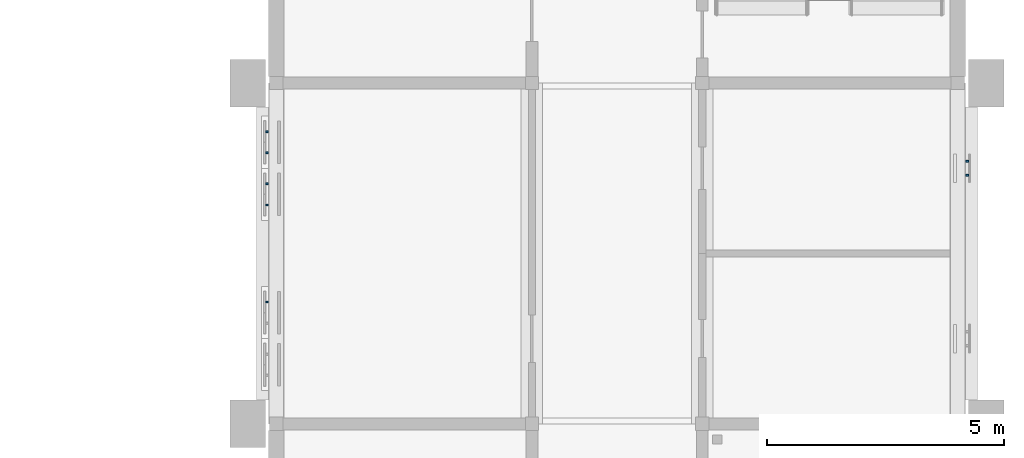
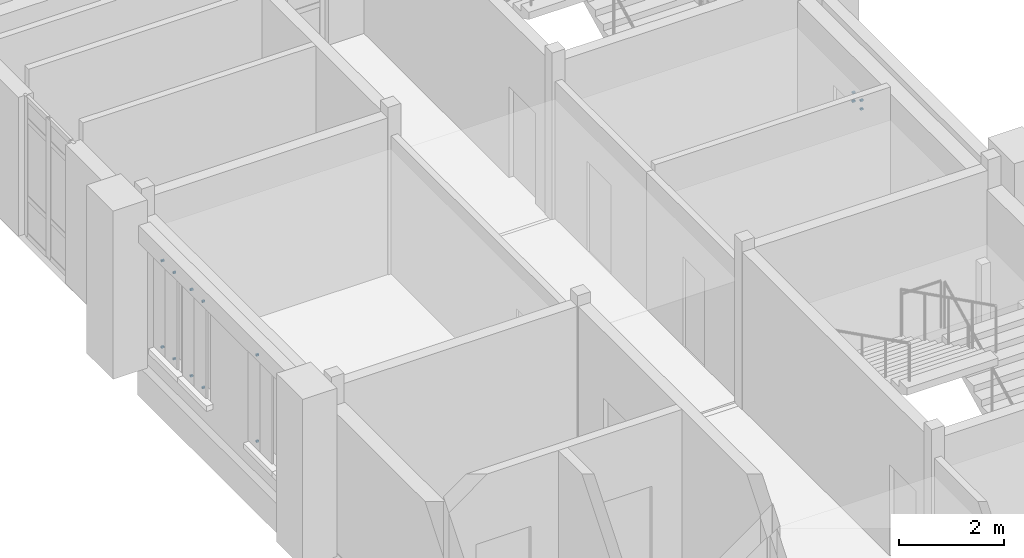
# One storey, part 54 of 69: 14 discrete accessories.
"""IFC4 building model written with IfcOpenShell, lengths in metres."""

from ifc_helpers import new_model, si_unit, direction, frame, origin, origin_2d, place, context, subcontext, project, spatial, rectangle, extrude, material, type_object, element, save


model = new_model("IFC4")

# Units and contexts
model_context = context("Model", 3, precision=1e-05, world=origin(), true_north=direction((0.0, 1.0)))
body_context = subcontext(model_context, "Body", "Model", "MODEL_VIEW")
ifc_project = project(units=[si_unit("LENGTHUNIT", "METRE"), si_unit("AREAUNIT", "SQUARE_METRE"), si_unit("VOLUMEUNIT", "CUBIC_METRE"), si_unit("PLANEANGLEUNIT", "RADIAN"), si_unit("MASSUNIT", "GRAM", prefix="KILO")], contexts=[model_context])

# Site, building, storey
site_placement = place(None, origin())
site = spatial("IfcSite", under=ifc_project, at=site_placement, CompositionType="ELEMENT")
building_placement = place(site_placement, origin())
building = spatial("IfcBuilding", under=site, at=building_placement, Name="Mazhai Court Health Centre", CompositionType="ELEMENT")
storey_placement = place(building_placement, frame((0.0, 0.0, 6.300048828125)))
storey = spatial("IfcBuildingStorey", under=building, at=storey_placement, Name="L01", CompositionType="ELEMENT", Elevation=6.300048828125)

# Discrete accessories
ifc_material = material(Name="Steel IS 2062 E250", Category="steel")
discrete_accessory_type = type_object("IfcDiscreteAccessoryType", Name="BRACKET 40", PredefinedType="BRACKET", material=ifc_material)
for number, where, z_axis, x_axis, name in (
    (1, (135.60498046875, 37.574951171875, 0.780029296875), (0.0, 0.0, 1.0), (0.0, 1.0, 0.0), "BR-V6-L01-A40bb0"),
    (2, (135.60498046875, 37.574951171875, 2.780029296875), (0.0, 0.0, 1.0), (0.0, 1.0, 0.0), "BR-V6-L01-A40bb1"),
    (3, (135.60498046875, 39.625, 0.780029296875), (0.0, 0.0, 1.0), (0.0, 1.0, 0.0), "BR-V6-L01-A41aa0"),
    (4, (135.60498046875, 39.625, 2.780029296875), (0.0, 0.0, 1.0), (0.0, 1.0, 0.0), "BR-V6-L01-A41aa1"),
    (5, (135.60498046875, 40.074951171875, 0.780029296875), (0.0, 0.0, 1.0), (0.0, 1.0, 0.0), "BR-V6-L01-A41ab0"),
    (6, (135.60498046875, 40.074951171875, 2.780029296875), (0.0, 0.0, 1.0), (0.0, 1.0, 0.0), "BR-V6-L01-A41ab1"),
    (7, (135.60498046875, 40.72509765625, 0.780029296875), (0.0, 0.0, 1.0), (0.0, 1.0, 0.0), "BR-V6-L01-A41ba0"),
    (8, (135.60498046875, 40.72509765625, 2.780029296875), (0.0, 0.0, 1.0), (0.0, 1.0, 0.0), "BR-V6-L01-A41ba1"),
    (9, (135.60498046875, 41.175048828125, 0.780029296875), (0.0, 0.0, 1.0), (0.0, 1.0, 0.0), "BR-V6-L01-A41bb0"),
    (10, (135.60498046875, 41.175048828125, 2.780029296875), (0.0, 0.0, 1.0), (0.0, 1.0, 0.0), "BR-V6-L01-A41bb1"),
    (11, (150.39501953125, 40.25, 1.679931640625), (0.0, 0.0, 1.0), (0.0, 1.0, 0.0), "BR-V6-L01-B41a0"),
    (12, (150.39501953125, 40.25, 1.8798828125), (0.0, 0.0, 1.0), (0.0, 1.0, 0.0), "BR-V6-L01-B41a1"),
    (13, (150.39501953125, 40.550048828125, 1.679931640625), (0.0, 0.0, 1.0), (0.0, 1.0, 0.0), "BR-V6-L01-B41b0"),
    (14, (150.39501953125, 40.550048828125, 1.8798828125), (0.0, 0.0, 1.0), (0.0, 1.0, 0.0), "BR-V6-L01-B41b1"),
):
    element("IfcDiscreteAccessory", number, at=place(storey_placement, frame(where, z_axis=z_axis, x_axis=x_axis)), inside=storey, type_object=discrete_accessory_type, Name=name, PredefinedType="BRACKET", context=body_context, shape_type="SweptSolid", body=[
        extrude(rectangle(XDim=0.0400390625, YDim=0.06005859375, at=origin_2d()), origin(), (0.0, 0.0, 1.0), 0.0400390625),
    ])

save(model, "model.ifc")
